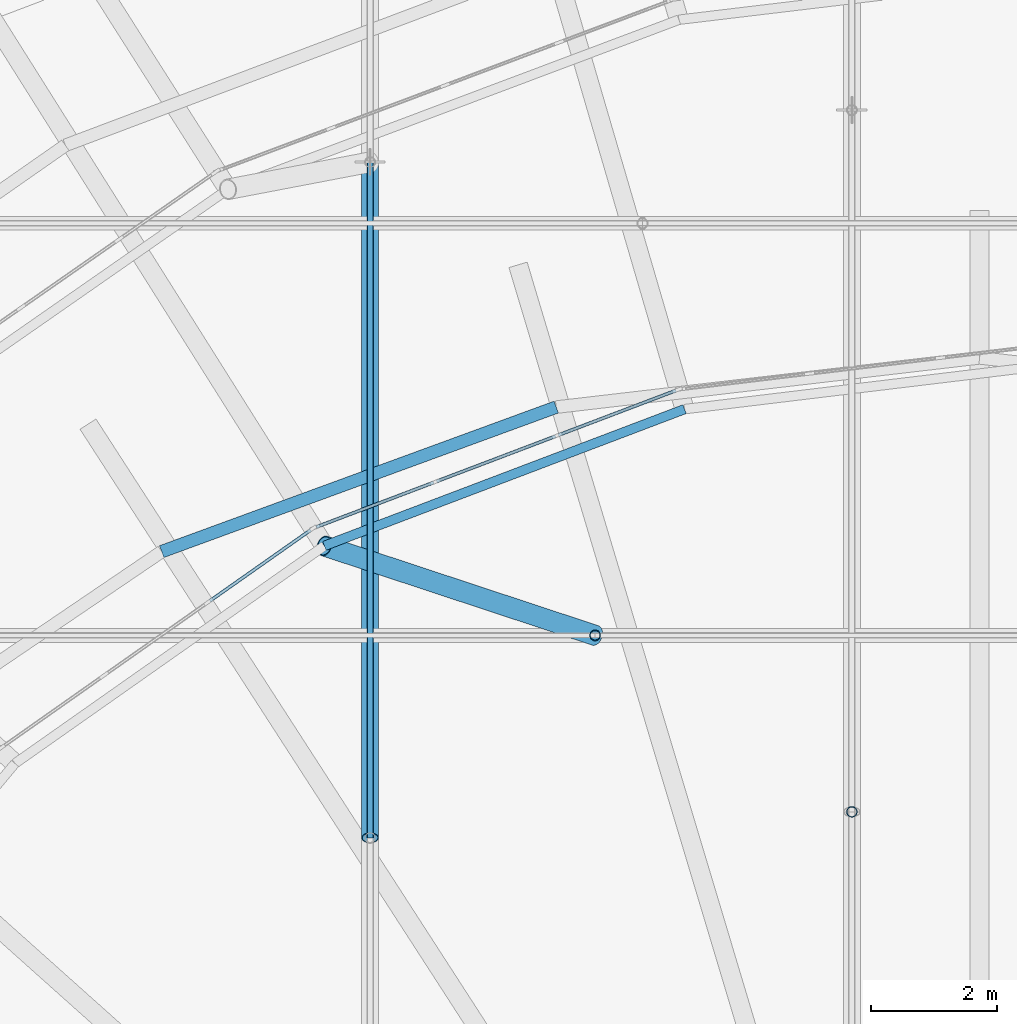
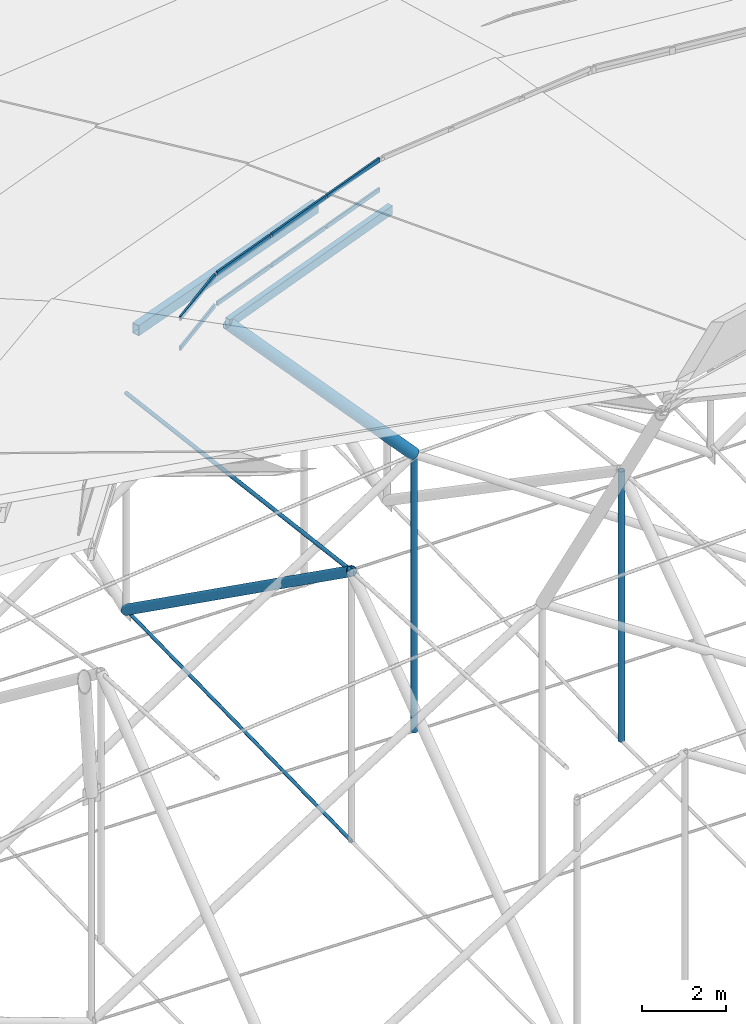
# One storey, part 66 of 173: 16 members, 2 elements without a shape of their own.
"""IFC4 building model written with IfcOpenShell, lengths in metres."""

from ifc_helpers import new_model, si_unit, direction, frame, origin, origin_2d, place, context, subcontext, project, spatial, rectangle, hollow_rectangle, circle, hollow_circle, extrude, material, material_profile, profile_set, type_object, element, aggregate, save


model = new_model("IFC4")

# Units and contexts
model_context = context("Model", 3, precision=1e-05, world=origin(), true_north=direction((0.0, 1.0)))
body_context = subcontext(model_context, "Body", "Model", "MODEL_VIEW")
ifc_project = project(units=[si_unit("LENGTHUNIT", "METRE"), si_unit("AREAUNIT", "SQUARE_METRE"), si_unit("VOLUMEUNIT", "CUBIC_METRE"), si_unit("PLANEANGLEUNIT", "RADIAN"), si_unit("MASSUNIT", "GRAM", prefix="KILO")], contexts=[model_context])

# Site, building, storey
site_placement = place(None, origin())
site = spatial("IfcSite", under=ifc_project, at=site_placement, CompositionType="ELEMENT")
building_placement = place(site_placement, origin())
building = spatial("IfcBuilding", under=site, at=building_placement, Name="Glasvene Arena", CompositionType="ELEMENT")
storey_placement = place(building_placement, frame((0.0, 0.0, 28.800048828125)))
storey = spatial("IfcBuildingStorey", under=building, at=storey_placement, Name="RF", CompositionType="ELEMENT", Elevation=28.800048828125)

# Curtain wall, members
ifc_material_1 = material(Name="Low-emissivity laminated double glazing", Category="glass")
curtain_wall_type_1 = type_object("IfcCurtainWallType", Name="CW-PET4-619x92", PredefinedType="USERDEFINED", material=ifc_material_1)
curtain_wall_1_placement = place(storey_placement, frame((81.438232421875, 90.80029296875, 0.0)))
curtain_wall_1 = element("IfcCurtainWall", 1, at=curtain_wall_1_placement, inside=storey, type_object=curtain_wall_type_1, Name="Petal ring 4-5 clerestory curtain wall 08", ObjectType="CURTAIN WALL", PredefinedType="USERDEFINED")
ifc_material_2 = material(Name="Anodised architectural aluminium", Category="aluminium")
ifc_material_profile_1 = material_profile(ifc_material_2, rectangle(XDim=0.050048828125, YDim=0.1201171875, at=origin_2d()), Name="ALU TRANSOM 50x120")
ifc_profile_set_1 = profile_set([ifc_material_profile_1], Name="Anodised architectural aluminium")
member_type_1 = type_object("IfcMemberType", Name="CW-TRN-120", PredefinedType="USERDEFINED", material=ifc_profile_set_1)
member_1_placement = place(storey_placement, frame((81.3916015625, 90.78271484375, 10.554931640625), z_axis=(-0.934868333805, -0.354994645662, 0.0), x_axis=(0.354994645662, -0.934868333805, 0.0)))
member_1 = element("IfcMember", 2, at=member_1_placement, type_object=member_type_1, Name="CW-103 transom 1.1", ObjectType="TRANSOM", PredefinedType="USERDEFINED", context=body_context, shape_type="SweptSolid", body=[
    extrude(rectangle(XDim=0.050048828125, YDim=0.1201171875, at=origin_2d()), origin(), (0.0, 0.0, 1.0), 1.989013671875),
])
member_2_placement = place(storey_placement, frame((81.3916015625, 90.78271484375, 11.4208984375), z_axis=(-0.934868333805, -0.354994645662, 0.0), x_axis=(0.354994645662, -0.934868333805, 0.0)))
member_2 = element("IfcMember", 3, at=member_2_placement, type_object=member_type_1, Name="CW-103 transom 1.2", ObjectType="TRANSOM", PredefinedType="USERDEFINED", context=body_context, shape_type="SweptSolid", body=[
    extrude(rectangle(XDim=0.050048828125, YDim=0.1201171875, at=origin_2d()), origin(), (0.0, 0.0, 1.0), 1.989013671875),
])
member_3_placement = place(storey_placement, frame((79.485595703125, 90.058837890625, 10.554931640625), z_axis=(-0.934886588793, -0.354946567944, 0.0), x_axis=(0.354946567944, -0.934886588793, 0.0)))
member_3 = element("IfcMember", 4, at=member_3_placement, type_object=member_type_1, Name="CW-103 transom 2.1", ObjectType="TRANSOM", PredefinedType="USERDEFINED", context=body_context, shape_type="SweptSolid", body=[
    extrude(rectangle(XDim=0.050048828125, YDim=0.1201171875, at=origin_2d()), origin(), (0.0, 0.0, 1.0), 2.013916015625),
])
member_4_placement = place(storey_placement, frame((79.485595703125, 90.058837890625, 11.4208984375), z_axis=(-0.934886588793, -0.354946567944, 0.0), x_axis=(0.354946567944, -0.934886588793, 0.0)))
member_4 = element("IfcMember", 5, at=member_4_placement, type_object=member_type_1, Name="CW-103 transom 2.2", ObjectType="TRANSOM", PredefinedType="USERDEFINED", context=body_context, shape_type="SweptSolid", body=[
    extrude(rectangle(XDim=0.050048828125, YDim=0.1201171875, at=origin_2d()), origin(), (0.0, 0.0, 1.0), 2.013916015625),
])
member_5_placement = place(storey_placement, frame((77.55615234375, 89.326416015625, 10.554931640625), z_axis=(-0.934868333805, -0.354994645662, 0.0), x_axis=(0.354994645662, -0.934868333805, 0.0)))
member_5 = element("IfcMember", 6, at=member_5_placement, type_object=member_type_1, Name="CW-103 transom 3.1", ObjectType="TRANSOM", PredefinedType="USERDEFINED", context=body_context, shape_type="SweptSolid", body=[
    extrude(rectangle(XDim=0.050048828125, YDim=0.1201171875, at=origin_2d()), origin(), (0.0, 0.0, 1.0), 1.989013671875),
])
member_6_placement = place(storey_placement, frame((77.55615234375, 89.326416015625, 11.4208984375), z_axis=(-0.934868333805, -0.354994645662, 0.0), x_axis=(0.354994645662, -0.934868333805, 0.0)))
member_6 = element("IfcMember", 7, at=member_6_placement, type_object=member_type_1, Name="CW-103 transom 3.2", ObjectType="TRANSOM", PredefinedType="USERDEFINED", context=body_context, shape_type="SweptSolid", body=[
    extrude(rectangle(XDim=0.050048828125, YDim=0.1201171875, at=origin_2d()), origin(), (0.0, 0.0, 1.0), 1.989013671875),
])
aggregate(curtain_wall_1, [member_1, member_2, member_3, member_4, member_5, member_6])

curtain_wall_type_2 = type_object("IfcCurtainWallType", Name="CW-PET4-608x92", PredefinedType="USERDEFINED", material=ifc_material_1)
curtain_wall_2_placement = place(storey_placement, frame((75.64990234375, 88.6025390625, 0.0)))
curtain_wall_2 = element("IfcCurtainWall", 8, at=curtain_wall_2_placement, inside=storey, type_object=curtain_wall_type_2, Name="Petal ring 4-5 clerestory curtain wall 09", ObjectType="CURTAIN WALL", PredefinedType="USERDEFINED")
member_7_placement = place(storey_placement, frame((75.609130859375, 88.57373046875, 10.554931640625), z_axis=(-0.817965659984, -0.575267050235, 0.0), x_axis=(0.575267050235, -0.817965659984, 0.0)))
member_7 = element("IfcMember", 9, at=member_7_placement, type_object=member_type_1, Name="CW-102 transom 1.1", ObjectType="TRANSOM", PredefinedType="USERDEFINED", context=body_context, shape_type="SweptSolid", body=[
    extrude(rectangle(XDim=0.050048828125, YDim=0.1201171875, at=origin_2d()), origin(), (0.0, 0.0, 1.0), 1.950439453125),
])
member_8_placement = place(storey_placement, frame((75.609130859375, 88.57373046875, 11.4208984375), z_axis=(-0.817965659984, -0.575267050235, 0.0), x_axis=(0.575267050235, -0.817965659984, 0.0)))
member_8 = element("IfcMember", 10, at=member_8_placement, type_object=member_type_1, Name="CW-102 transom 1.2", ObjectType="TRANSOM", PredefinedType="USERDEFINED", context=body_context, shape_type="SweptSolid", body=[
    extrude(rectangle(XDim=0.050048828125, YDim=0.1201171875, at=origin_2d()), origin(), (0.0, 0.0, 1.0), 1.950439453125),
])
aggregate(curtain_wall_2, [member_7, member_8])

# Members
ifc_material_3 = material(Name="High-strength steel spiral strand S460", Category="steel")
ifc_material_profile_2 = material_profile(ifc_material_3, circle(Radius=0.052490234375, at=origin_2d()), Name="LCSS D105")
ifc_profile_set_2 = profile_set([ifc_material_profile_2], Name="High-strength steel spiral strand S460")
member_type_2 = type_object("IfcMemberType", Name="MB-CABLE-105", PredefinedType="USERDEFINED", material=ifc_profile_set_2)
member_9_placement = place(storey_placement, frame((76.54931640625, 83.699462890625, 5.499267578125), z_axis=(0.0, 0.992336291438, -0.123566519313), x_axis=(-1.0, 0.0, 0.0)))
element("IfcMember", 11, at=member_9_placement, inside=storey, type_object=member_type_2, Name="Upper lens roof cable NS07-06", ObjectType="ROOF CABLE", PredefinedType="USERDEFINED", context=body_context, shape_type="SweptSolid", body=[
    extrude(circle(Radius=0.052490234375, at=origin_2d()), origin(), (0.0, 0.0, 1.0), 10.78173828125),
])
ifc_material_profile_3 = material_profile(ifc_material_3, circle(Radius=0.044921875, at=origin_2d()), Name="LCSS D90")
ifc_profile_set_3 = profile_set([ifc_material_profile_3], Name="High-strength steel spiral strand S460")
member_type_3 = type_object("IfcMemberType", Name="MB-CABLE-90", PredefinedType="USERDEFINED", material=ifc_profile_set_3)
member_10_placement = place(storey_placement, frame((76.54931640625, 83.699462890625, -2.328125), z_axis=(0.0, 0.999797075179, 0.020144688239), x_axis=(-1.0, 0.0, 0.0)))
element("IfcMember", 12, at=member_10_placement, inside=storey, type_object=member_type_3, Name="Lower stabilization roof cable NS07-06", ObjectType="ROOF CABLE", PredefinedType="USERDEFINED", context=body_context, shape_type="SweptSolid", body=[
    extrude(circle(Radius=0.044921875, at=origin_2d()), origin(), (0.0, 0.0, 1.0), 10.701416015625),
])
ifc_material_4 = material(Name="Steel S355J2", Category="steel")
ifc_material_profile_4 = material_profile(ifc_material_4, hollow_circle(Radius=0.161865234375, WallThickness=0.01611328125, at=origin_2d()), Name="CHS 323.9x16.0")
ifc_profile_set_4 = profile_set([ifc_material_profile_4], Name="Steel S355J2")
member_type_4 = type_object("IfcMemberType", Name="MB-POST-CHS324", PredefinedType="BRACE", material=ifc_profile_set_4)
member_11_placement = place(storey_placement, frame((80.11181640625, 86.90576171875, 5.6904296875), z_axis=(-0.676884636137, 0.223662205073, 0.701286252099), x_axis=(-0.313744629505, -0.949507402529, 0.0)))
element("IfcMember", 13, at=member_11_placement, inside=storey, type_object=member_type_4, Name="Petal ring 4 ridge support post 09", PredefinedType="BRACE", context=body_context, shape_type="SweptSolid", body=[
    extrude(hollow_circle(Radius=0.161865234375, WallThickness=0.01611328125, at=origin_2d()), origin(), (0.0, 0.0, 1.0), 6.333251953125),
])
ifc_material_profile_5 = material_profile(ifc_material_4, hollow_rectangle(XDim=0.14990234375, YDim=0.25, WallThickness=0.010009765625, at=origin_2d()), Name="RHS 250x150x10.0")
ifc_profile_set_5 = profile_set([ifc_material_profile_5], Name="Steel S355J2")
member_type_5 = type_object("IfcMemberType", Name="MB-PURLIN-RHS250", PredefinedType="PURLIN", material=ifc_profile_set_5)
member_12_placement = place(storey_placement, frame((81.52880859375, 90.48779296875, 10.1318359375), z_axis=(-0.934889040634, -0.354940110021, 0.0), x_axis=(0.354940110021, -0.934889040634, 0.0)))
element("IfcMember", 14, at=member_12_placement, inside=storey, type_object=member_type_5, Name="Petal ring 4 ridge purlin 08", PredefinedType="PURLIN", context=body_context, shape_type="SweptSolid", body=[
    extrude(hollow_rectangle(XDim=0.14990234375, YDim=0.25, WallThickness=0.010009765625, at=origin_2d()), origin(), (0.0, 0.0, 1.0), 6.10107421875),
])
ifc_material_profile_6 = material_profile(ifc_material_4, hollow_rectangle(XDim=0.199951171875, YDim=0.300048828125, WallThickness=0.012451171875, at=origin_2d()), Name="RHS 300x200x12.5")
ifc_profile_set_6 = profile_set([ifc_material_profile_6], Name="Steel S355J2")
member_type_6 = type_object("IfcMemberType", Name="MB-PURLIN-RHS300", PredefinedType="PURLIN", material=ifc_profile_set_6)
member_13_placement = place(storey_placement, frame((79.49658203125, 90.519775390625, 10.9013671875), z_axis=(-0.939001198731, -0.34391386826, 0.0), x_axis=(0.34391386826, -0.939001198731, 0.0)))
element("IfcMember", 15, at=member_13_placement, inside=storey, type_object=member_type_6, Name="Petal ring 5 outer purlin 08", PredefinedType="PURLIN", context=body_context, shape_type="SweptSolid", body=[
    extrude(hollow_rectangle(XDim=0.199951171875, YDim=0.300048828125, WallThickness=0.012451171875, at=origin_2d()), origin(), (0.0, 0.0, 1.0), 6.65234375),
])
ifc_material_profile_7 = material_profile(ifc_material_4, hollow_circle(Radius=0.084228515625, WallThickness=0.008056640625, at=origin_2d()), Name="CHS 168.3x8.0")
ifc_profile_set_7 = profile_set([ifc_material_profile_7], Name="Steel S355J2")
member_type_7 = type_object("IfcMemberType", Name="MB-WEB-CHS168", PredefinedType="BRACE", material=ifc_profile_set_7)
member_14_placement = place(storey_placement, frame((84.17822265625, 84.111572265625, -2.328125), z_axis=(0.0, 0.0, 1.0), x_axis=(1.0, 0.0, 0.0)))
element("IfcMember", 16, at=member_14_placement, inside=storey, type_object=member_type_7, Name="Cable-truss vertical strut NS06-05", PredefinedType="BRACE", context=body_context, shape_type="SweptSolid", body=[
    extrude(hollow_circle(Radius=0.084228515625, WallThickness=0.008056640625, at=origin_2d()), origin(), (0.0, 0.0, 1.0), 7.827392578125),
])
member_15_placement = place(storey_placement, frame((80.11181640625, 86.90576171875, -2.328125), z_axis=(0.0, 0.0, 1.0), x_axis=(1.0, 0.0, 0.0)))
element("IfcMember", 17, at=member_15_placement, inside=storey, type_object=member_type_7, Name="Cable-truss vertical strut EW06-03", PredefinedType="BRACE", context=body_context, shape_type="SweptSolid", body=[
    extrude(hollow_circle(Radius=0.084228515625, WallThickness=0.008056640625, at=origin_2d()), origin(), (0.0, 0.0, 1.0), 8.0185546875),
])
ifc_material_profile_8 = material_profile(ifc_material_4, hollow_circle(Radius=0.136474609375, WallThickness=0.012451171875, at=origin_2d()), Name="CHS 273.0x12.5")
ifc_profile_set_8 = profile_set([ifc_material_profile_8], Name="Steel S355J2")
member_type_8 = type_object("IfcMemberType", Name="MB-WEB-CHS273", PredefinedType="BRACE", material=ifc_profile_set_8)
member_16_placement = place(storey_placement, frame((76.54931640625, 83.699462890625, 5.499267578125), z_axis=(0.0, 0.814830025282, -0.579699948162), x_axis=(-1.0, 0.0, 0.0)))
element("IfcMember", 18, at=member_16_placement, inside=storey, type_object=member_type_8, Name="Cable-truss diagonal web strut NS07-06", PredefinedType="BRACE", context=body_context, shape_type="SweptSolid", body=[
    extrude(hollow_circle(Radius=0.136474609375, WallThickness=0.012451171875, at=origin_2d()), origin(), (0.0, 0.0, 1.0), 13.130615234375),
])

save(model, "model.ifc")
